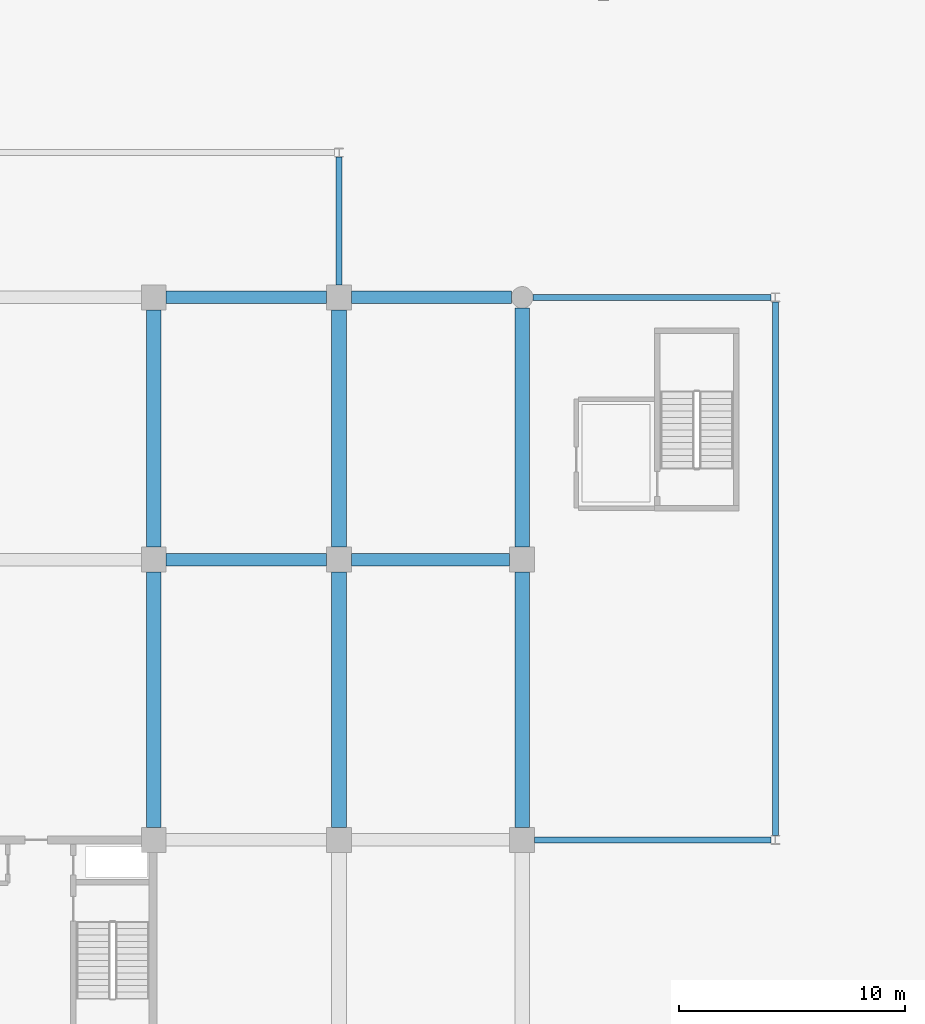
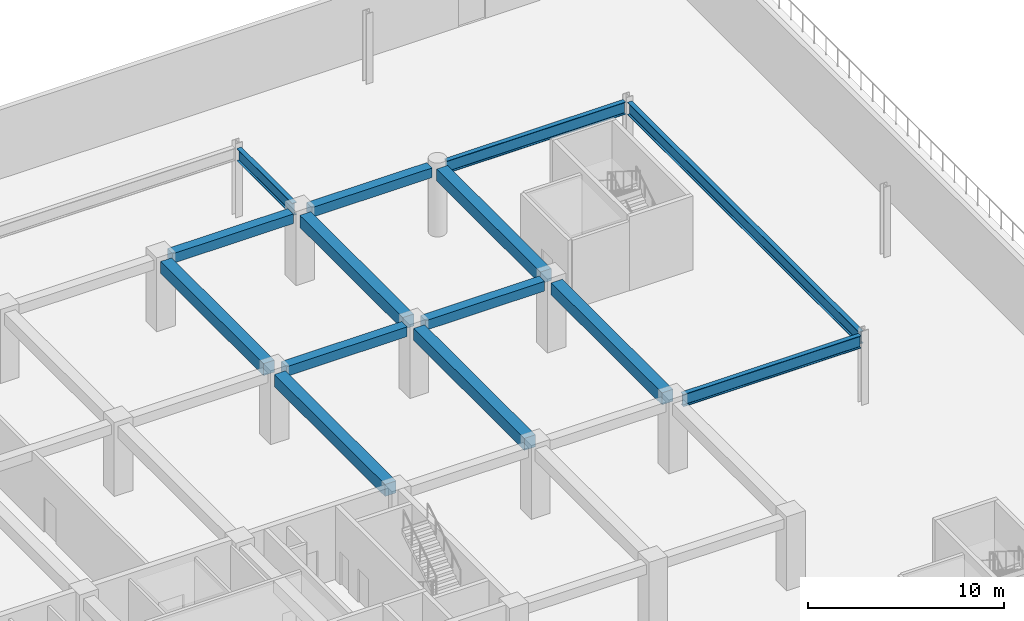
# One storey, part 14 of 45: 14 beams.
"""IFC4 building model written with IfcOpenShell, lengths in metres."""

from ifc_helpers import new_model, si_unit, direction, frame, origin, origin_2d, place, context, subcontext, project, spatial, rectangle, i_section, extrude, material, material_profile, profile_set, type_object, element, save


model = new_model("IFC4")

# Units and contexts
model_context = context("Model", 3, precision=1e-05, world=origin(), true_north=direction((0.0, 1.0)))
body_context = subcontext(model_context, "Body", "Model", "MODEL_VIEW")
ifc_project = project(units=[si_unit("LENGTHUNIT", "METRE"), si_unit("AREAUNIT", "SQUARE_METRE"), si_unit("VOLUMEUNIT", "CUBIC_METRE"), si_unit("PLANEANGLEUNIT", "RADIAN"), si_unit("MASSUNIT", "GRAM", prefix="KILO")], contexts=[model_context])

# Site, building, storey
site_placement = place(None, origin())
site = spatial("IfcSite", under=ifc_project, at=site_placement, CompositionType="ELEMENT")
building_placement = place(site_placement, origin())
building = spatial("IfcBuilding", under=site, at=building_placement, Name="Korimba Cascade Residences", CompositionType="ELEMENT")
storey_placement = place(building_placement, frame((0.0, 0.0, 5.39990234375)))
storey = spatial("IfcBuildingStorey", under=building, at=storey_placement, Name="L01", CompositionType="ELEMENT", Elevation=5.39990234375)

# Beams
ifc_material_1 = material(Name="Concrete C50/60", Category="concrete")
ifc_material_profile_1 = material_profile(ifc_material_1, rectangle(XDim=0.550048828125, YDim=0.60009765625, at=origin_2d()), Name="Concrete C50/60")
ifc_profile_set_1 = profile_set([ifc_material_profile_1], Name="Concrete C50/60")
beam_type_1 = type_object("IfcBeamType", Name="BM-RC-B600", PredefinedType="BEAM", material=ifc_profile_set_1)
beam_1_placement = place(storey_placement, frame((112.64990234375, 79.60009765625, 4.0), z_axis=(1.0, 0.0, 0.0), x_axis=(0.0, 1.0, 0.0)))
element("IfcBeam", 1, at=beam_1_placement, inside=storey, type_object=beam_type_1, Name="L01 T1 E-W Girder Y3 Bay 7", PredefinedType="BEAM", context=body_context, shape_type="SweptSolid", body=[
    extrude(rectangle(XDim=0.550048828125, YDim=0.60009765625, at=origin_2d()), origin(), (0.0, 0.0, 1.0), 7.10009765625),
])
beam_2_placement = place(storey_placement, frame((120.85009765625, 79.60009765625, 4.0), z_axis=(1.0, 0.0, 0.0), x_axis=(0.0, 1.0, 0.0)))
element("IfcBeam", 2, at=beam_2_placement, inside=storey, type_object=beam_type_1, Name="L01 T1 E-W Girder Y3 Bay 8", PredefinedType="BEAM", context=body_context, shape_type="SweptSolid", body=[
    extrude(rectangle(XDim=0.550048828125, YDim=0.60009765625, at=origin_2d()), origin(), (0.0, 0.0, 1.0), 7.0),
])
beam_3_placement = place(storey_placement, frame((112.64990234375, 91.199951171875, 4.0), z_axis=(1.0, 0.0, 0.0), x_axis=(0.0, 1.0, 0.0)))
element("IfcBeam", 3, at=beam_3_placement, inside=storey, type_object=beam_type_1, Name="L01 T1 E-W Girder Y4 Bay 7", PredefinedType="BEAM", context=body_context, shape_type="SweptSolid", body=[
    extrude(rectangle(XDim=0.550048828125, YDim=0.60009765625, at=origin_2d()), origin(), (0.0, 0.0, 1.0), 7.10009765625),
])
beam_4_placement = place(storey_placement, frame((120.85009765625, 91.199951171875, 4.0), z_axis=(1.0, 0.0, 0.0), x_axis=(0.0, 1.0, 0.0)))
element("IfcBeam", 4, at=beam_4_placement, inside=storey, type_object=beam_type_1, Name="L01 T1 E-W Girder Y4 Bay 8", PredefinedType="BEAM", context=body_context, shape_type="SweptSolid", body=[
    extrude(rectangle(XDim=0.550048828125, YDim=0.60009765625, at=origin_2d()), origin(), (0.0, 0.0, 1.0), 7.074951171875),
])
ifc_material_profile_2 = material_profile(ifc_material_1, rectangle(XDim=0.64990234375, YDim=0.75, at=origin_2d()), Name="Concrete C50/60")
ifc_profile_set_2 = profile_set([ifc_material_profile_2], Name="Concrete C50/60")
beam_type_2 = type_object("IfcBeamType", Name="BM-RC-G750", PredefinedType="BEAM", material=ifc_profile_set_2)
beam_5_placement = place(storey_placement, frame((112.10009765625, 67.75, 3.925048828125), z_axis=(0.0, 1.0, 0.0), x_axis=(-1.0, 0.0, 0.0)))
element("IfcBeam", 5, at=beam_5_placement, inside=storey, type_object=beam_type_2, Name="L01 T1 N-S Girder X7 Seg 2", PredefinedType="BEAM", context=body_context, shape_type="SweptSolid", body=[
    extrude(rectangle(XDim=0.64990234375, YDim=0.75, at=origin_2d()), origin(), (0.0, 0.0, 1.0), 11.300048828125),
])
beam_6_placement = place(storey_placement, frame((112.10009765625, 80.14990234375, 3.925048828125), z_axis=(0.0, 1.0, 0.0), x_axis=(-1.0, 0.0, 0.0)))
element("IfcBeam", 6, at=beam_6_placement, inside=storey, type_object=beam_type_2, Name="L01 T1 N-S Girder X7 Seg 3", PredefinedType="BEAM", context=body_context, shape_type="SweptSolid", body=[
    extrude(rectangle(XDim=0.64990234375, YDim=0.75, at=origin_2d()), origin(), (0.0, 0.0, 1.0), 10.5),
])
beam_7_placement = place(storey_placement, frame((120.300048828125, 67.75, 3.925048828125), z_axis=(0.0, 1.0, 0.0), x_axis=(-1.0, 0.0, 0.0)))
element("IfcBeam", 7, at=beam_7_placement, inside=storey, type_object=beam_type_2, Name="L01 T1 N-S Girder X8 Seg 2", PredefinedType="BEAM", context=body_context, shape_type="SweptSolid", body=[
    extrude(rectangle(XDim=0.64990234375, YDim=0.75, at=origin_2d()), origin(), (0.0, 0.0, 1.0), 11.300048828125),
])
beam_8_placement = place(storey_placement, frame((120.300048828125, 80.14990234375, 3.925048828125), z_axis=(0.0, 1.0, 0.0), x_axis=(-1.0, 0.0, 0.0)))
element("IfcBeam", 8, at=beam_8_placement, inside=storey, type_object=beam_type_2, Name="L01 T1 N-S Girder X8 Seg 3", PredefinedType="BEAM", context=body_context, shape_type="SweptSolid", body=[
    extrude(rectangle(XDim=0.64990234375, YDim=0.75, at=origin_2d()), origin(), (0.0, 0.0, 1.0), 10.5),
])
beam_9_placement = place(storey_placement, frame((128.39990234375, 67.75, 3.925048828125), z_axis=(0.0, 1.0, 0.0), x_axis=(-1.0, 0.0, 0.0)))
element("IfcBeam", 9, at=beam_9_placement, inside=storey, type_object=beam_type_2, Name="L01 T1 N-S Girder X9 Seg 2", PredefinedType="BEAM", context=body_context, shape_type="SweptSolid", body=[
    extrude(rectangle(XDim=0.64990234375, YDim=0.75, at=origin_2d()), origin(), (0.0, 0.0, 1.0), 11.300048828125),
])
beam_10_placement = place(storey_placement, frame((128.39990234375, 80.14990234375, 3.925048828125), z_axis=(0.0, 1.0, 0.0), x_axis=(-1.0, 0.0, 0.0)))
element("IfcBeam", 10, at=beam_10_placement, inside=storey, type_object=beam_type_2, Name="L01 T1 N-S Girder X9 Seg 3", PredefinedType="BEAM", context=body_context, shape_type="SweptSolid", body=[
    extrude(rectangle(XDim=0.64990234375, YDim=0.75, at=origin_2d()), origin(), (0.0, 0.0, 1.0), 10.5751953125),
])
ifc_material_2 = material(Name="Steel S355", Category="steel")
ifc_material_profile_3 = material_profile(ifc_material_2, i_section(OverallWidth=0.26806640625, OverallDepth=0.769775390625, WebThickness=0.015625, FlangeThickness=0.025390625, FilletRadius=0.0166015625, at=origin_2d()), Name="Steel S355")
ifc_profile_set_3 = profile_set([ifc_material_profile_3], Name="Steel S355")
beam_type_3 = type_object("IfcBeamType", Name="BM-STL-UB762", PredefinedType="BEAM", material=ifc_profile_set_3)
beam_11_placement = place(storey_placement, frame((128.949951171875, 67.199951171875, 3.915283203125), z_axis=(1.0, 0.0, 0.0), x_axis=(0.0, 1.0, 0.0)))
element("IfcBeam", 11, at=beam_11_placement, inside=storey, type_object=beam_type_3, Name="L01 Podium Frame Girder E3", PredefinedType="BEAM", context=body_context, shape_type="SweptSolid", body=[
    extrude(i_section(OverallWidth=0.26806640625, OverallDepth=0.769775390625, WebThickness=0.015625, FlangeThickness=0.025390625, FilletRadius=0.0166015625, at=origin_2d()), origin(), (0.0, 0.0, 1.0), 10.450439453125),
])
beam_12_placement = place(storey_placement, frame((128.875, 91.199951171875, 3.915283203125), z_axis=(1.0, 0.0, 0.0), x_axis=(0.0, 1.0, 0.0)))
element("IfcBeam", 12, at=beam_12_placement, inside=storey, type_object=beam_type_3, Name="L01 Podium Frame Girder E4", PredefinedType="BEAM", context=body_context, shape_type="SweptSolid", body=[
    extrude(i_section(OverallWidth=0.26806640625, OverallDepth=0.769775390625, WebThickness=0.015625, FlangeThickness=0.025390625, FilletRadius=0.0166015625, at=origin_2d()), origin(), (0.0, 0.0, 1.0), 10.525390625),
])
beam_13_placement = place(storey_placement, frame((139.60009765625, 67.396728515625, 3.915283203125), z_axis=(0.0, 1.0, 0.0), x_axis=(-1.0, 0.0, 0.0)))
element("IfcBeam", 13, at=beam_13_placement, inside=storey, type_object=beam_type_3, Name="L01 Podium Frame Girder ES", PredefinedType="BEAM", context=body_context, shape_type="SweptSolid", body=[
    extrude(i_section(OverallWidth=0.26806640625, OverallDepth=0.769775390625, WebThickness=0.015625, FlangeThickness=0.025390625, FilletRadius=0.0166015625, at=origin_2d()), origin(), (0.0, 0.0, 1.0), 23.6064453125),
])
beam_14_placement = place(storey_placement, frame((120.300048828125, 91.75, 3.915283203125), z_axis=(0.0, 1.0, 0.0), x_axis=(-1.0, 0.0, 0.0)))
element("IfcBeam", 14, at=beam_14_placement, inside=storey, type_object=beam_type_3, Name="L01 Podium Frame Girder N3", PredefinedType="BEAM", context=body_context, shape_type="SweptSolid", body=[
    extrude(i_section(OverallWidth=0.26806640625, OverallDepth=0.769775390625, WebThickness=0.015625, FlangeThickness=0.025390625, FilletRadius=0.0166015625, at=origin_2d()), origin(), (0.0, 0.0, 1.0), 5.6533203125),
])

save(model, "model.ifc")
